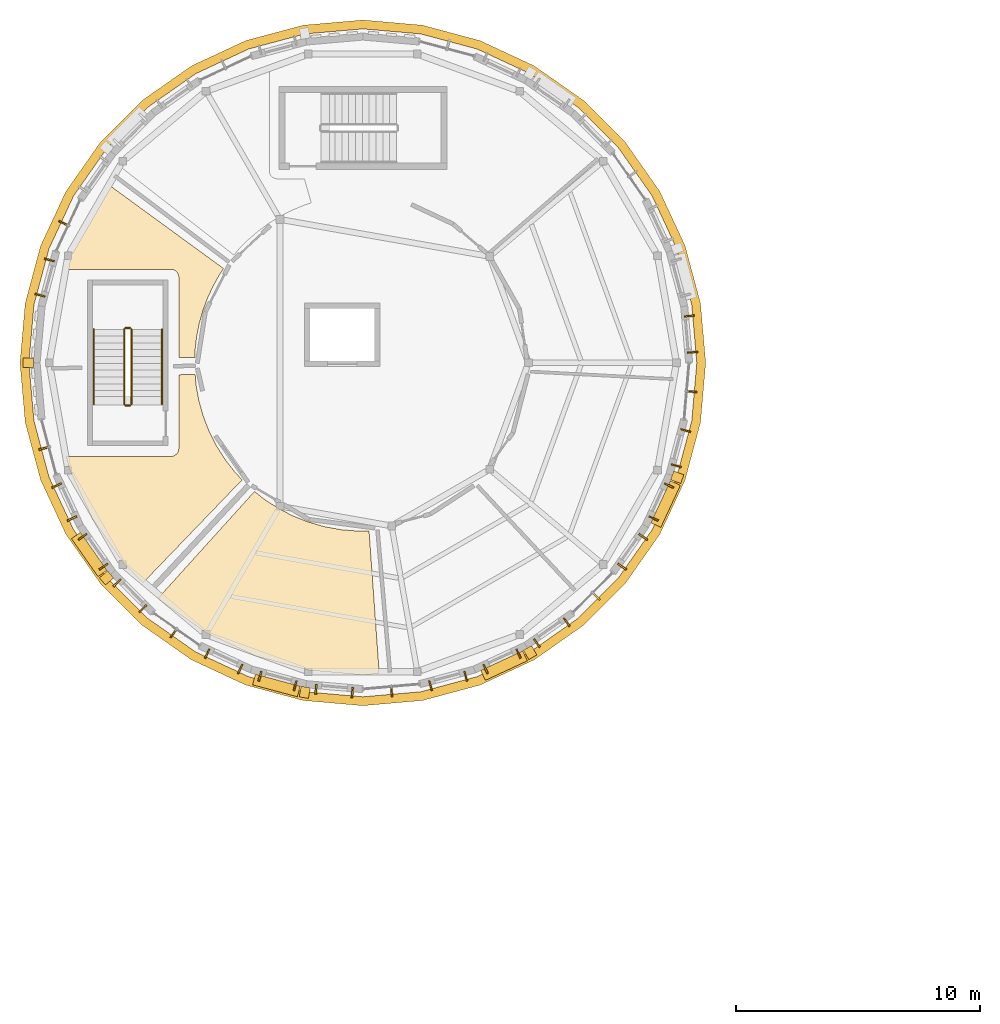
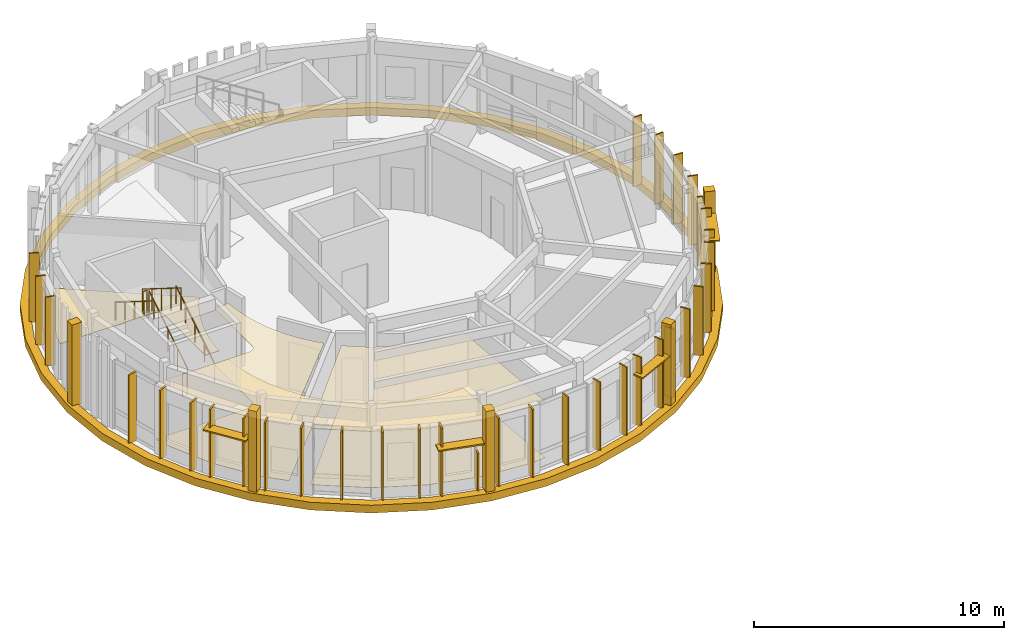
# One storey, part 32 of 37: 38 shading devices, 11 coverings, 6 railings.
"""IFC4 building model written with IfcOpenShell, lengths in metres."""

from ifc_helpers import new_model, si_unit, direction, frame, origin, origin_2d, place, context, subcontext, project, spatial, polyline, rectangle, circle, outline, extrude, material, layer, layer_set, type_object, element, save


model = new_model("IFC4")

# Units and contexts
model_context = context("Model", 3, precision=1e-05, world=origin(), true_north=direction((0.0, 1.0)))
body_context = subcontext(model_context, "Body", "Model", "MODEL_VIEW")
ifc_project = project(units=[si_unit("LENGTHUNIT", "METRE"), si_unit("AREAUNIT", "SQUARE_METRE"), si_unit("VOLUMEUNIT", "CUBIC_METRE"), si_unit("PLANEANGLEUNIT", "RADIAN"), si_unit("MASSUNIT", "GRAM", prefix="KILO")], contexts=[model_context])

# Site, building, storey
site_placement = place(None, origin())
site = spatial("IfcSite", under=ifc_project, at=site_placement, CompositionType="ELEMENT")
building_placement = place(site_placement, origin())
building = spatial("IfcBuilding", under=site, at=building_placement, Name="Aldenvaro Health Centre", CompositionType="ELEMENT")
storey_placement = place(building_placement, frame((0.0, 0.0, 12.949951171875)))
storey = spatial("IfcBuildingStorey", under=building, at=storey_placement, Name="L03", CompositionType="ELEMENT", Elevation=12.949951171875)

# Coverings
ifc_material_1 = material(Name="Antimicrobial Mineral Fibre Ceiling")
ifc_layer_1 = layer(ifc_material_1, 0.01806640625, Name="Antimicrobial Mineral Fibre Ceiling")
ifc_layer_set_1 = layer_set([ifc_layer_1], Name="Antimicrobial Mineral Fibre Ceiling")
covering_type_1 = type_object("IfcCoveringType", Name="COV-CLG-ACT18", PredefinedType="CEILING", material=ifc_layer_set_1)
covering_1_placement = place(storey_placement, frame((0.0, 0.0, 2.75)))
element("IfcCovering", 1, at=covering_1_placement, inside=storey, type_object=covering_type_1, Name="D4-L03-R03 Suspended Ceiling", PredefinedType="CEILING", context=body_context, shape_type="SweptSolid", body=[
    extrude(outline(polyline([(11.64697265625, 98.618896484375), (11.64990234375, 98.595947265625), (11.762939453125, 97.962890625), (11.76904296875, 97.93994140625), (11.943115234375, 97.321044921875), (11.949951171875, 97.299072265625), (12.18310546875, 96.699951171875), (12.19189453125, 96.678955078125), (12.48193359375, 96.10498046875), (12.492919921875, 96.0849609375), (12.8369140625, 95.541015625), (12.85009765625, 95.52197265625), (13.243896484375, 95.013916015625), (13.259033203125, 94.9970703125), (13.54296875, 94.696044921875), (9.47412109375, 90.467041015625), (8.679931640625, 91.260009765625), (7.39794921875, 93.091064453125), (6.4541015625, 95.115966796875), (6.30810546875, 95.659912109375), (10.6201171875, 95.659912109375), (10.632080078125, 95.659912109375), (10.639892578125, 95.660888671875), (10.6630859375, 95.6630859375), (10.6708984375, 95.6640625), (10.694091796875, 95.6689453125), (10.701904296875, 95.6708984375), (10.72412109375, 95.677001953125), (10.73095703125, 95.679931640625), (10.7529296875, 95.68896484375), (10.760009765625, 95.69189453125), (10.781005859375, 95.7041015625), (10.7880859375, 95.7080078125), (10.806884765625, 95.720947265625), (10.81396484375, 95.72509765625), (10.83203125, 95.739990234375), (10.837890625, 95.74609375), (10.85400390625, 95.761962890625), (10.860107421875, 95.76806640625), (10.875, 95.785888671875), (10.87890625, 95.79296875), (10.89208984375, 95.81201171875), (10.89599609375, 95.819091796875), (10.907958984375, 95.840087890625), (10.910888671875, 95.846923828125), (10.919921875, 95.868896484375), (10.923095703125, 95.8759765625), (10.928955078125, 95.89794921875), (10.930908203125, 95.906005859375), (10.93603515625, 95.928955078125), (10.93701171875, 95.93701171875), (10.93896484375, 95.9599609375), (10.93994140625, 95.968017578125), (10.93994140625, 95.97998046875), (10.93994140625, 99.009033203125), (11.613037109375, 99.031005859375), (11.64697265625, 98.618896484375)])), origin(), (0.0, 0.0, 1.0), 0.01806640625),
])
covering_2_placement = place(storey_placement, frame((0.0, 0.0, 2.75)))
element("IfcCovering", 2, at=covering_2_placement, inside=storey, type_object=covering_type_1, Name="D4-L03-R04 Suspended Ceiling", PredefinedType="CEILING", context=body_context, shape_type="SweptSolid", body=[
    extrude(outline(polyline([(14.39697265625, 93.93994140625), (14.4169921875, 93.926025390625), (14.97705078125, 93.555908203125), (14.998046875, 93.54296875), (15.593017578125, 93.23095703125), (15.614990234375, 93.220947265625), (16.239013671875, 92.970947265625), (16.261962890625, 92.962890625), (16.906982421875, 92.77587890625), (16.930908203125, 92.77099609375), (17.592041015625, 92.64990234375), (17.615966796875, 92.64697265625), (18.285888671875, 92.593994140625), (18.31005859375, 92.593017578125), (18.75390625, 92.60205078125), (19.174072265625, 86.739990234375), (18.5, 86.680908203125), (16.27392578125, 86.8759765625), (14.115966796875, 87.4541015625), (12.091064453125, 88.39794921875), (10.260009765625, 89.679931640625), (10.097900390625, 89.843017578125), (14.052978515625, 94.220947265625), (14.39697265625, 93.93994140625)])), origin(), (0.0, 0.0, 1.0), 0.01806640625),
])
ifc_material_2 = material(Name="Honed Sonoran Buff Limestone", Category="masonry")
ifc_layer_2 = layer(ifc_material_2, 0.280029296875, Name="Honed Sonoran Buff Limestone", Category="masonry")
ifc_layer_set_2 = layer_set([ifc_layer_2], Name="Honed Sonoran Buff Limestone")
covering_type_2 = type_object("IfcCoveringType", Name="COV-CRN-STN", PredefinedType="CLADDING", material=ifc_layer_set_2)
covering_3_placement = place(storey_placement, frame((0.0, 0.0, -0.33984375)))
element("IfcCovering", 3, at=covering_3_placement, inside=storey, type_object=covering_type_2, Name="D4 L03 Classical Stone Entablature Cornice 1", PredefinedType="CLADDING", context=body_context, shape_type="SweptSolid", body=[
    extrude(outline(polyline([(32.580078125, 99.5), (32.365966796875, 101.945068359375), (31.73095703125, 104.31591796875), (30.694091796875, 106.5400390625), (29.285888671875, 108.550048828125), (27.550048828125, 110.285888671875), (25.5400390625, 111.694091796875), (23.31591796875, 112.73095703125), (20.945068359375, 113.365966796875), (18.5, 113.580078125), (16.054931640625, 113.365966796875), (13.68408203125, 112.73095703125), (11.4599609375, 111.694091796875), (9.449951171875, 110.285888671875), (7.714111328125, 108.550048828125), (6.305908203125, 106.5400390625), (5.26904296875, 104.31591796875), (4.634033203125, 101.945068359375), (4.419921875, 99.5), (4.634033203125, 97.054931640625), (5.26904296875, 94.68408203125), (6.305908203125, 92.4599609375), (7.714111328125, 90.449951171875), (9.449951171875, 88.714111328125), (11.4599609375, 87.305908203125), (13.68408203125, 86.26904296875), (16.054931640625, 85.634033203125), (18.5, 85.419921875), (20.945068359375, 85.634033203125), (23.31591796875, 86.26904296875), (25.5400390625, 87.305908203125), (27.550048828125, 88.714111328125), (29.285888671875, 90.449951171875), (30.694091796875, 92.4599609375), (31.73095703125, 94.68408203125), (32.365966796875, 97.054931640625), (32.580078125, 99.5)]), holes=[polyline([(32.215087890625, 99.5), (32.007080078125, 97.117919921875), (31.387939453125, 94.80908203125), (30.3779296875, 92.64208984375), (29.006103515625, 90.68408203125), (27.31591796875, 88.993896484375), (25.35791015625, 87.6220703125), (23.19091796875, 86.612060546875), (20.882080078125, 85.992919921875), (18.5, 85.784912109375), (16.117919921875, 85.992919921875), (13.80908203125, 86.612060546875), (11.64208984375, 87.6220703125), (9.68408203125, 88.993896484375), (7.993896484375, 90.68408203125), (6.6220703125, 92.64208984375), (5.612060546875, 94.80908203125), (4.992919921875, 97.117919921875), (4.784912109375, 99.5), (4.992919921875, 101.882080078125), (5.612060546875, 104.19091796875), (6.6220703125, 106.35791015625), (7.993896484375, 108.31591796875), (9.68408203125, 110.006103515625), (11.64306640625, 111.3779296875), (13.80908203125, 112.387939453125), (16.117919921875, 113.007080078125), (18.5, 113.215087890625), (20.882080078125, 113.007080078125), (23.19091796875, 112.387939453125), (25.35791015625, 111.3779296875), (27.31591796875, 110.006103515625), (29.006103515625, 108.31591796875), (30.3779296875, 106.35791015625), (31.387939453125, 104.19091796875), (32.007080078125, 101.882080078125), (32.215087890625, 99.5)])]), origin(), (0.0, 0.0, 1.0), 0.3798828125),
])
for number, where, z_axis, x_axis, name in (
    (4, (31.410888671875, 94.801025390625, -0.00048828125), (0.0, 0.0, 1.0), (0.939695335552, -0.342012684476, 0.0), "D4 L03 Engaged Classical Limestone Pilaster 02"),
    (5, (25.3701171875, 87.60107421875, -0.00048828125), (0.0, 0.0, 1.0), (0.499991611653, -0.866030246745, 0.0), "D4 L03 Engaged Classical Limestone Pilaster 04"),
    (6, (16.114013671875, 85.968994140625, -0.00048828125), (0.0, 0.0, 1.0), (-0.173661868999, -0.984805338763, 0.0), "D4 L03 Engaged Classical Limestone Pilaster 06"),
    (7, (7.97412109375, 90.66796875, -0.00048828125), (0.0, 0.0, 1.0), (-0.766057587935, -0.642771943979, 0.0), "D4 L03 Engaged Classical Limestone Pilaster 08"),
    (8, (4.760009765625, 99.5, -0.00048828125), (0.0, 0.0, 1.0), (-1.0, 0.0, 0.0), "D4 L03 Engaged Classical Limestone Pilaster 10"),
):
    element("IfcCovering", number, at=place(storey_placement, frame(where, z_axis=z_axis, x_axis=x_axis)), inside=storey, type_object=covering_type_2, Name=name, PredefinedType="CLADDING", context=body_context, shape_type="SweptSolid", body=[
        extrude(rectangle(XDim=0.43994140625, YDim=0.3798828125, at=origin_2d()), origin(), (0.0, 0.0, 1.0), 3.9951171875),
    ])
ifc_material_3 = material(Name="Polished Epoxy Terrazzo Flooring")
ifc_layer_3 = layer(ifc_material_3, 0.02197265625, Name="Polished Epoxy Terrazzo Flooring")
ifc_layer_set_3 = layer_set([ifc_layer_3], Name="Polished Epoxy Terrazzo Flooring")
covering_type_3 = type_object("IfcCoveringType", Name="COV-FLR-TER22", PredefinedType="FLOORING", material=ifc_layer_set_3)
covering_4_placement = place(storey_placement, origin())
element("IfcCovering", 9, at=covering_4_placement, inside=storey, type_object=covering_type_3, Name="D4-L03-R02 Flooring", PredefinedType="FLOORING", context=body_context, shape_type="SweptSolid", body=[
    extrude(outline(polyline([(12.617919921875, 103.1259765625), (12.60791015625, 103.110107421875), (12.35009765625, 102.65087890625), (12.342041015625, 102.634033203125), (12.12109375, 102.156005859375), (12.114013671875, 102.137939453125), (11.930908203125, 101.64404296875), (11.925048828125, 101.6259765625), (11.782958984375, 101.118896484375), (11.778076171875, 101.10107421875), (11.676025390625, 100.583984375), (11.673095703125, 100.56591796875), (11.612060546875, 100.04296875), (11.610107421875, 100.02392578125), (11.59912109375, 99.72802734375), (10.93994140625, 99.72705078125), (10.93994140625, 103.02001953125), (10.93994140625, 103.031982421875), (10.93896484375, 103.0400390625), (10.93701171875, 103.06298828125), (10.93603515625, 103.071044921875), (10.930908203125, 103.093994140625), (10.928955078125, 103.10205078125), (10.923095703125, 103.1240234375), (10.919921875, 103.131103515625), (10.910888671875, 103.153076171875), (10.907958984375, 103.159912109375), (10.89599609375, 103.180908203125), (10.89208984375, 103.18798828125), (10.87890625, 103.20703125), (10.875, 103.214111328125), (10.860107421875, 103.23193359375), (10.85400390625, 103.238037109375), (10.837890625, 103.25390625), (10.83203125, 103.260009765625), (10.81396484375, 103.27490234375), (10.806884765625, 103.279052734375), (10.7880859375, 103.2919921875), (10.781005859375, 103.2958984375), (10.760009765625, 103.30810546875), (10.7529296875, 103.31103515625), (10.73095703125, 103.320068359375), (10.72412109375, 103.322998046875), (10.701904296875, 103.3291015625), (10.694091796875, 103.3310546875), (10.6708984375, 103.3359375), (10.6630859375, 103.3369140625), (10.639892578125, 103.339111328125), (10.632080078125, 103.340087890625), (10.6201171875, 103.340087890625), (6.30810546875, 103.340087890625), (6.4541015625, 103.884033203125), (7.39794921875, 105.908935546875), (8.0419921875, 106.8291015625), (12.782958984375, 103.3720703125), (12.617919921875, 103.1259765625)])), origin(), (0.0, 0.0, 1.0), 0.02197265625),
])
covering_5_placement = place(storey_placement, origin())
element("IfcCovering", 10, at=covering_5_placement, inside=storey, type_object=covering_type_3, Name="D4-L03-R03 Flooring", PredefinedType="FLOORING", context=body_context, shape_type="SweptSolid", body=[
    extrude(outline(polyline([(11.64697265625, 98.618896484375), (11.64990234375, 98.595947265625), (11.762939453125, 97.962890625), (11.76904296875, 97.93994140625), (11.943115234375, 97.321044921875), (11.949951171875, 97.299072265625), (12.18310546875, 96.699951171875), (12.19189453125, 96.678955078125), (12.48193359375, 96.10498046875), (12.492919921875, 96.0849609375), (12.8369140625, 95.541015625), (12.85009765625, 95.52197265625), (13.243896484375, 95.013916015625), (13.259033203125, 94.9970703125), (13.54296875, 94.696044921875), (9.47412109375, 90.467041015625), (8.679931640625, 91.260009765625), (7.39794921875, 93.091064453125), (6.4541015625, 95.115966796875), (6.30810546875, 95.659912109375), (10.6201171875, 95.659912109375), (10.632080078125, 95.659912109375), (10.639892578125, 95.660888671875), (10.6630859375, 95.6630859375), (10.6708984375, 95.6640625), (10.694091796875, 95.6689453125), (10.701904296875, 95.6708984375), (10.72412109375, 95.677001953125), (10.73095703125, 95.679931640625), (10.7529296875, 95.68896484375), (10.760009765625, 95.69189453125), (10.781005859375, 95.7041015625), (10.7880859375, 95.7080078125), (10.806884765625, 95.720947265625), (10.81396484375, 95.72509765625), (10.83203125, 95.739990234375), (10.837890625, 95.74609375), (10.85400390625, 95.761962890625), (10.860107421875, 95.76806640625), (10.875, 95.785888671875), (10.87890625, 95.79296875), (10.89208984375, 95.81201171875), (10.89599609375, 95.819091796875), (10.907958984375, 95.840087890625), (10.910888671875, 95.846923828125), (10.919921875, 95.868896484375), (10.923095703125, 95.8759765625), (10.928955078125, 95.89794921875), (10.930908203125, 95.906005859375), (10.93603515625, 95.928955078125), (10.93701171875, 95.93701171875), (10.93896484375, 95.9599609375), (10.93994140625, 95.968017578125), (10.93994140625, 95.97998046875), (10.93994140625, 99.009033203125), (11.613037109375, 99.031005859375), (11.64697265625, 98.618896484375)])), origin(), (0.0, 0.0, 1.0), 0.02197265625),
])
ifc_material_4 = material(Name="Seamless Homogeneous Sheet Vinyl")
ifc_layer_4 = layer(ifc_material_4, 0.013916015625, Name="Seamless Homogeneous Sheet Vinyl")
ifc_layer_set_4 = layer_set([ifc_layer_4], Name="Seamless Homogeneous Sheet Vinyl")
covering_type_4 = type_object("IfcCoveringType", Name="COV-FLR-VNL14", PredefinedType="FLOORING", material=ifc_layer_set_4)
covering_6_placement = place(storey_placement, origin())
element("IfcCovering", 11, at=covering_6_placement, inside=storey, type_object=covering_type_4, Name="D4-L03-R04 Flooring", PredefinedType="FLOORING", context=body_context, shape_type="SweptSolid", body=[
    extrude(outline(polyline([(14.39697265625, 93.93994140625), (14.4169921875, 93.926025390625), (14.97705078125, 93.555908203125), (14.998046875, 93.54296875), (15.593017578125, 93.23095703125), (15.614990234375, 93.220947265625), (16.239013671875, 92.970947265625), (16.261962890625, 92.962890625), (16.906982421875, 92.77587890625), (16.930908203125, 92.77099609375), (17.592041015625, 92.64990234375), (17.615966796875, 92.64697265625), (18.285888671875, 92.593994140625), (18.31005859375, 92.593017578125), (18.75390625, 92.60205078125), (19.174072265625, 86.739990234375), (18.5, 86.680908203125), (16.27392578125, 86.8759765625), (14.115966796875, 87.4541015625), (12.091064453125, 88.39794921875), (10.260009765625, 89.679931640625), (10.097900390625, 89.843017578125), (14.052978515625, 94.220947265625), (14.39697265625, 93.93994140625)])), origin(), (0.0, 0.0, 1.0), 0.01416015625),
])

# Railings
ifc_material_5 = material(Name="Painted Architectural Steel", Category="steel")
railing_type_1 = type_object("IfcRailingType", Name="RL-BAL-INT", PredefinedType="BALUSTRADE", material=ifc_material_5)
railing_1_placement = place(storey_placement, frame((9.0, 97.800048828125, 0.175048828125)))
element("IfcRailing", 12, at=railing_1_placement, inside=storey, type_object=railing_type_1, Name="L03 ST-08 stair guard 1", PredefinedType="BALUSTRADE", context=body_context, shape_type="SweptSolid", body=[
    extrude(circle(Radius=0.02392578125, at=origin_2d()), frame((0.0, 0.0, 1.076171875), z_axis=(0.0, 0.847979421464, 0.530029150871), x_axis=(-1.0, 0.0, 0.0)), (0.0, 0.0, 1.0), 3.632080078125),
    extrude(circle(Radius=0.02099609375, at=origin_2d()), origin(), (0.0, 0.0, 1.0), 1.052001953125),
    extrude(circle(Radius=0.02099609375, at=origin_2d()), frame((0.0, 0.77001953125, 0.481201171875)), (0.0, 0.0, 1.0), 1.052001953125),
    extrude(circle(Radius=0.02099609375, at=origin_2d()), frame((0.0, 1.5400390625, 0.96240234375)), (0.0, 0.0, 1.0), 1.052001953125),
    extrude(circle(Radius=0.02099609375, at=origin_2d()), frame((0.0, 2.309814453125, 1.44384765625)), (0.0, 0.0, 1.0), 1.052001953125),
    extrude(circle(Radius=0.02099609375, at=origin_2d()), frame((0.0, 3.079833984375, 1.925048828125)), (0.0, 0.0, 1.0), 1.052001953125),
])
railing_2_placement = place(storey_placement, frame((8.949951171875, 100.929931640625, 2.10009765625)))
element("IfcRailing", 13, at=railing_2_placement, inside=storey, type_object=railing_type_1, Name="L03 ST-08 stair guard 2", PredefinedType="BALUSTRADE", context=body_context, shape_type="SweptSolid", body=[
    extrude(circle(Radius=0.02392578125, at=origin_2d()), frame((0.0, 0.0, 1.076171875), z_axis=(-1.0, 0.0, 0.0), x_axis=(0.0, -1.0, 0.0)), (0.0, 0.0, 1.0), 0.199951171875),
    extrude(circle(Radius=0.02099609375, at=origin_2d()), origin(), (0.0, 0.0, 1.0), 1.052001953125),
    extrude(circle(Radius=0.02099609375, at=origin_2d()), frame((-0.199951171875, 0.0, 0.0)), (0.0, 0.0, 1.0), 1.052001953125),
])
railing_3_placement = place(storey_placement, frame((8.699951171875, 100.8798828125, 2.275146484375)))
element("IfcRailing", 14, at=railing_3_placement, inside=storey, type_object=railing_type_1, Name="L03 ST-08 stair guard 3", PredefinedType="BALUSTRADE", context=body_context, shape_type="SweptSolid", body=[
    extrude(circle(Radius=0.02392578125, at=origin_2d()), frame((0.0, 0.0, 1.076171875), z_axis=(0.0, -0.848009633417, 0.529980812513), x_axis=(1.0, 0.0, 0.0)), (0.0, 0.0, 1.0), 3.6318359375),
    extrude(circle(Radius=0.02099609375, at=origin_2d()), origin(), (0.0, 0.0, 1.0), 1.052001953125),
    extrude(circle(Radius=0.02099609375, at=origin_2d()), frame((0.0, -0.77001953125, 0.481201171875)), (0.0, 0.0, 1.0), 1.052001953125),
    extrude(circle(Radius=0.02099609375, at=origin_2d()), frame((0.0, -1.5400390625, 0.96240234375)), (0.0, 0.0, 1.0), 1.052001953125),
    extrude(circle(Radius=0.02099609375, at=origin_2d()), frame((0.0, -2.309814453125, 1.443603515625)), (0.0, 0.0, 1.0), 1.052001953125),
    extrude(circle(Radius=0.02099609375, at=origin_2d()), frame((0.0, -3.079833984375, 1.9248046875)), (0.0, 0.0, 1.0), 1.052001953125),
])
railing_4_placement = place(storey_placement, frame((8.949951171875, 97.75, 0.0)))
element("IfcRailing", 15, at=railing_4_placement, inside=storey, type_object=railing_type_1, Name="L03 ST-08 stair guard 4", PredefinedType="BALUSTRADE", context=body_context, shape_type="SweptSolid", body=[
    extrude(circle(Radius=0.02392578125, at=origin_2d()), frame((0.0, 0.0, 1.076171875), z_axis=(-1.0, 0.0, 0.0), x_axis=(0.0, -1.0, 0.0)), (0.0, 0.0, 1.0), 0.199951171875),
    extrude(circle(Radius=0.02099609375, at=origin_2d()), origin(), (0.0, 0.0, 1.0), 1.052001953125),
    extrude(circle(Radius=0.02099609375, at=origin_2d()), frame((-0.199951171875, 0.0, 0.0)), (0.0, 0.0, 1.0), 1.052001953125),
])
railing_type_2 = type_object("IfcRailingType", Name="RL-HND-INT", PredefinedType="HANDRAIL", material=ifc_material_5)
railing_5_placement = place(storey_placement, frame((10.25, 97.800048828125, 0.175048828125)))
element("IfcRailing", 16, at=railing_5_placement, inside=storey, type_object=railing_type_2, Name="L03 ST-08 stair handrail 1", PredefinedType="HANDRAIL", context=body_context, shape_type="SweptSolid", body=[
    extrude(circle(Radius=0.02392578125, at=origin_2d()), frame((0.0, 0.0, 0.8759765625), z_axis=(0.0, 0.847979421464, 0.530029150871), x_axis=(-1.0, 0.0, 0.0)), (0.0, 0.0, 1.0), 3.632080078125),
    extrude(circle(Radius=0.02099609375, at=origin_2d()), origin(), (0.0, 0.0, 1.0), 0.851806640625),
    extrude(circle(Radius=0.02099609375, at=origin_2d()), frame((0.0, 0.77001953125, 0.481201171875)), (0.0, 0.0, 1.0), 0.851806640625),
    extrude(circle(Radius=0.02099609375, at=origin_2d()), frame((0.0, 1.5400390625, 0.96240234375)), (0.0, 0.0, 1.0), 0.851806640625),
    extrude(circle(Radius=0.02099609375, at=origin_2d()), frame((0.0, 2.309814453125, 1.44384765625)), (0.0, 0.0, 1.0), 0.851806640625),
    extrude(circle(Radius=0.02099609375, at=origin_2d()), frame((0.0, 3.079833984375, 1.925048828125)), (0.0, 0.0, 1.0), 0.851806640625),
])
railing_6_placement = place(storey_placement, frame((7.449951171875, 100.8798828125, 2.275146484375)))
element("IfcRailing", 17, at=railing_6_placement, inside=storey, type_object=railing_type_2, Name="L03 ST-08 stair handrail 2", PredefinedType="HANDRAIL", context=body_context, shape_type="SweptSolid", body=[
    extrude(circle(Radius=0.02392578125, at=origin_2d()), frame((0.0, 0.0, 0.8759765625), z_axis=(0.0, -0.848009633417, 0.529980812513), x_axis=(1.0, 0.0, 0.0)), (0.0, 0.0, 1.0), 3.6318359375),
    extrude(circle(Radius=0.02099609375, at=origin_2d()), origin(), (0.0, 0.0, 1.0), 0.851806640625),
    extrude(circle(Radius=0.02099609375, at=origin_2d()), frame((0.0, -0.77001953125, 0.481201171875)), (0.0, 0.0, 1.0), 0.851806640625),
    extrude(circle(Radius=0.02099609375, at=origin_2d()), frame((0.0, -1.5400390625, 0.96240234375)), (0.0, 0.0, 1.0), 0.851806640625),
    extrude(circle(Radius=0.02099609375, at=origin_2d()), frame((0.0, -2.309814453125, 1.443603515625)), (0.0, 0.0, 1.0), 0.851806640625),
    extrude(circle(Radius=0.02099609375, at=origin_2d()), frame((0.0, -3.079833984375, 1.9248046875)), (0.0, 0.0, 1.0), 0.851806640625),
])

# Shading devices
ifc_material_6 = material(Name="Douglas Fir Exterior Glulam GL28h", Category="wood")
shading_device_type_1 = type_object("IfcShadingDeviceType", Name="SHD-FIN-190", PredefinedType="USERDEFINED", material=ifc_material_6)
shading_device_placement = place(storey_placement, frame((15.721923828125, 86.243896484375, -0.02001953125), z_axis=(0.0, 0.0, 1.0), x_axis=(-0.965978620089, 0.258621935517, 0.0)))
element("IfcShadingDevice", 18, at=shading_device_placement, inside=storey, type_object=shading_device_type_1, Name="D4 L03 Douglas fir fin 11.1", ObjectType="FIN", PredefinedType="USERDEFINED", context=body_context, shape_type="SweptSolid", body=[
    extrude(rectangle(XDim=0.06494140625, YDim=0.419921875, at=origin_2d()), origin(), (0.0, 0.0, 1.0), 1.89990234375),
])
shading_device_type_2 = type_object("IfcShadingDeviceType", Name="SHD-FIN-340", PredefinedType="USERDEFINED", material=ifc_material_6)
for number, where, z_axis, x_axis, name in (
    (19, (28.0869140625, 89.9130859375, -0.0205078125), (0.0, 0.0, 1.0), (-0.707106781187, -0.707106781187, 0.0), "D4 L03 vertical timber fin 5.0"),
    (20, (14.277099609375, 86.6298828125, -0.0205078125), (0.0, 0.0, 1.0), (-0.965978620089, 0.258621935517, 0.0), "D4 L03 Douglas fir fin 11.3"),
    (21, (5.403076171875, 95.990966796875, -0.0205078125), (0.0, 0.0, 1.0), (-0.258621935517, 0.965978620089, 0.0), "D4 L03 vertical timber fin 17.0"),
):
    element("IfcShadingDevice", number, at=place(storey_placement, frame(where, z_axis=z_axis, x_axis=x_axis)), inside=storey, type_object=shading_device_type_2, Name=name, ObjectType="FIN", PredefinedType="USERDEFINED", context=body_context, shape_type="SweptSolid", body=[
        extrude(rectangle(XDim=0.074951171875, YDim=0.419921875, at=origin_2d()), origin(), (0.0, 0.0, 1.0), 3.388916015625),
    ])
shading_device_type_3 = type_object("IfcShadingDeviceType", Name="SHD-FIN-380", PredefinedType="USERDEFINED", material=ifc_material_6)
for number, where, z_axis, x_axis, name in (
    (22, (30.007080078125, 92.35595703125, -0.0205078125), (0.0, 0.0, 1.0), (-0.573720929857, -0.819050849853, 0.0), "D4 L03 Douglas fir fin 4.1"),
    (23, (29.14892578125, 91.131103515625, -0.0205078125), (0.0, 0.0, 1.0), (-0.573720929857, -0.819050849853, 0.0), "D4 L03 Douglas fir fin 4.3"),
    (24, (18.06591796875, 85.9619140625, -0.0205078125), (0.0, 0.0, 1.0), (-0.996179299052, 0.087331575855, 0.0), "D4 L03 Douglas fir fin 10.1"),
    (25, (16.575927734375, 86.093017578125, -0.0205078125), (0.0, 0.0, 1.0), (-0.996179299052, 0.087331575855, 0.0), "D4 L03 Douglas fir fin 10.3"),
    (26, (6.55908203125, 93.10693359375, -0.0205078125), (0.0, 0.0, 1.0), (-0.422557314215, 0.90633620484, 0.0), "D4 L03 Douglas fir fin 16.1"),
    (27, (5.927001953125, 94.4619140625, -0.0205078125), (0.0, 0.0, 1.0), (-0.422557314215, 0.90633620484, 0.0), "D4 L03 Douglas fir fin 16.3"),
):
    element("IfcShadingDevice", number, at=place(storey_placement, frame(where, z_axis=z_axis, x_axis=x_axis)), inside=storey, type_object=shading_device_type_3, Name=name, ObjectType="FIN", PredefinedType="USERDEFINED", context=body_context, shape_type="SweptSolid", body=[
        extrude(rectangle(XDim=0.074951171875, YDim=0.419921875, at=origin_2d()), origin(), (0.0, 0.0, 1.0), 3.388916015625),
    ])
shading_device_type_4 = type_object("IfcShadingDeviceType", Name="SHD-FIN-400", PredefinedType="USERDEFINED", material=ifc_material_6)
for number, where, z_axis, x_axis, name in (
    (28, (31.072998046875, 94.4619140625, -0.0205078125), (0.0, 0.0, 1.0), (-0.422557314215, -0.90633620484, 0.0), "D4 L03 Douglas fir fin 3.1"),
    (29, (30.44091796875, 93.10693359375, -0.0205078125), (0.0, 0.0, 1.0), (-0.422557314215, -0.90633620484, 0.0), "D4 L03 Douglas fir fin 3.3"),
    (30, (19.681884765625, 85.992919921875, -0.0205078125), (0.0, 0.0, 1.0), (-0.996179299052, -0.087331575855, 0.0), "D4 L03 vertical timber fin 9.0"),
    (31, (7.85107421875, 91.131103515625, -0.0205078125), (0.0, 0.0, 1.0), (-0.573720929857, 0.819050849853, 0.0), "D4 L03 Douglas fir fin 15.1"),
    (32, (6.992919921875, 92.35595703125, -0.0205078125), (0.0, 0.0, 1.0), (-0.573720929857, 0.819050849853, 0.0), "D4 L03 Douglas fir fin 15.3"),
    (33, (6.2109375, 105.22998046875, -0.0205078125), (0.0, 0.0, 1.0), (0.422557314215, 0.90633620484, 0.0), "D4 L03 vertical timber fin 21.0"),
):
    element("IfcShadingDevice", number, at=place(storey_placement, frame(where, z_axis=z_axis, x_axis=x_axis)), inside=storey, type_object=shading_device_type_4, Name=name, ObjectType="FIN", PredefinedType="USERDEFINED", context=body_context, shape_type="SweptSolid", body=[
        extrude(rectangle(XDim=0.06494140625, YDim=0.419921875, at=origin_2d()), origin(), (0.0, 0.0, 1.0), 3.388916015625),
    ])
shading_device_type_5 = type_object("IfcShadingDeviceType", Name="SHD-FIN-420", PredefinedType="USERDEFINED", material=ifc_material_6)
for number, where, z_axis, x_axis, name in (
    (34, (31.756103515625, 96.721923828125, -0.0205078125), (0.0, 0.0, 1.0), (-0.258621935517, -0.965978620089, 0.0), "D4 L03 Douglas fir fin 2.1"),
    (35, (31.3701171875, 95.277099609375, -0.0205078125), (0.0, 0.0, 1.0), (-0.258621935517, -0.965978620089, 0.0), "D4 L03 Douglas fir fin 2.3"),
    (36, (22.722900390625, 86.6298828125, -0.0205078125), (0.0, 0.0, 1.0), (-0.965978620089, -0.258621935517, 0.0), "D4 L03 Douglas fir fin 8.1"),
    (37, (21.278076171875, 86.243896484375, -0.0205078125), (0.0, 0.0, 1.0), (-0.965978620089, -0.258621935517, 0.0), "D4 L03 Douglas fir fin 8.3"),
    (38, (9.466064453125, 89.407958984375, -0.0205078125), (0.0, 0.0, 1.0), (-0.707106781187, 0.707106781187, 0.0), "D4 L03 Douglas fir fin 14.1"),
    (39, (8.407958984375, 90.466064453125, -0.0205078125), (0.0, 0.0, 1.0), (-0.707106781187, 0.707106781187, 0.0), "D4 L03 Douglas fir fin 14.3"),
    (40, (5.243896484375, 102.278076171875, -0.0205078125), (0.0, 0.0, 1.0), (0.258621935517, 0.965978620089, 0.0), "D4 L03 Douglas fir fin 20.1"),
    (41, (5.6298828125, 103.722900390625, -0.0205078125), (0.0, 0.0, 1.0), (0.258621935517, 0.965978620089, 0.0), "D4 L03 Douglas fir fin 20.3"),
):
    element("IfcShadingDevice", number, at=place(storey_placement, frame(where, z_axis=z_axis, x_axis=x_axis)), inside=storey, type_object=shading_device_type_5, Name=name, ObjectType="FIN", PredefinedType="USERDEFINED", context=body_context, shape_type="SweptSolid", body=[
        extrude(rectangle(XDim=0.06494140625, YDim=0.419921875, at=origin_2d()), origin(), (0.0, 0.0, 1.0), 3.388916015625),
    ])
shading_device_type_6 = type_object("IfcShadingDeviceType", Name="SHD-FIN-435", PredefinedType="USERDEFINED", material=ifc_material_6)
for number, where, z_axis, x_axis, name in (
    (42, (32.007080078125, 98.318115234375, -0.0205078125), (0.0, 0.0, 1.0), (-0.087331575855, -0.996179299052, 0.0), "D4 L03 vertical timber fin 1.0"),
    (43, (24.89306640625, 87.55908203125, -0.0205078125), (0.0, 0.0, 1.0), (-0.90633620484, -0.422557314215, 0.0), "D4 L03 Douglas fir fin 7.1"),
    (44, (23.5380859375, 86.927001953125, -0.0205078125), (0.0, 0.0, 1.0), (-0.90633620484, -0.422557314215, 0.0), "D4 L03 Douglas fir fin 7.3"),
    (45, (10.722900390625, 88.39306640625, -0.0205078125), (0.0, 0.0, 1.0), (-0.819050849853, 0.573720929857, 0.0), "D4 L03 vertical timber fin 13.0"),
):
    element("IfcShadingDevice", number, at=place(storey_placement, frame(where, z_axis=z_axis, x_axis=x_axis)), inside=storey, type_object=shading_device_type_6, Name=name, ObjectType="FIN", PredefinedType="USERDEFINED", context=body_context, shape_type="SweptSolid", body=[
        extrude(rectangle(XDim=0.06494140625, YDim=0.419921875, at=origin_2d()), origin(), (0.0, 0.0, 1.0), 3.388916015625),
    ])
shading_device_type_7 = type_object("IfcShadingDeviceType", Name="SHD-FIN-455", PredefinedType="USERDEFINED", material=ifc_material_6)
for number, where, z_axis, x_axis, name in (
    (46, (26.868896484375, 88.85107421875, -0.0205078125), (0.0, 0.0, 1.0), (-0.819050849853, -0.573720929857, 0.0), "D4 L03 Douglas fir fin 6.1"),
    (47, (25.64404296875, 87.992919921875, -0.0205078125), (0.0, 0.0, 1.0), (-0.819050849853, -0.573720929857, 0.0), "D4 L03 Douglas fir fin 6.3"),
    (48, (13.4619140625, 86.927001953125, -0.0205078125), (0.0, 0.0, 1.0), (-0.90633620484, 0.422557314215, 0.0), "D4 L03 Douglas fir fin 12.1"),
    (49, (12.10693359375, 87.55908203125, -0.0205078125), (0.0, 0.0, 1.0), (-0.90633620484, 0.422557314215, 0.0), "D4 L03 Douglas fir fin 12.3"),
    (50, (31.906982421875, 101.424072265625, -0.0205078125), (0.0, 0.0, 1.0), (0.087331575855, -0.996179299052, 0.0), "D4 L03 Douglas fir fin 36.1"),
    (51, (32.0380859375, 99.93408203125, -0.0205078125), (0.0, 0.0, 1.0), (0.087331575855, -0.996179299052, 0.0), "D4 L03 Douglas fir fin 36.3"),
):
    element("IfcShadingDevice", number, at=place(storey_placement, frame(where, z_axis=z_axis, x_axis=x_axis)), inside=storey, type_object=shading_device_type_7, Name=name, ObjectType="FIN", PredefinedType="USERDEFINED", context=body_context, shape_type="SweptSolid", body=[
        extrude(rectangle(XDim=0.06494140625, YDim=0.419921875, at=origin_2d()), origin(), (0.0, 0.0, 1.0), 3.388916015625),
    ])
shading_device_type_8 = type_object("IfcShadingDeviceType", Name="SHD-LVR-190", PredefinedType="JALOUSIE", material=ifc_material_6)
for number, where, z_axis, x_axis, name in (
    (52, (30.93408203125, 93.701904296875, 2.8974609375), (0.0, 0.0, 1.0), (-0.422557314215, -0.90633620484, 0.0), "D4 L03 horizontal solar louvre 03"),
    (53, (24.298095703125, 87.06591796875, 2.49755859375), (0.0, 0.0, 1.0), (-0.90633620484, -0.422557314215, 0.0), "D4 L03 horizontal solar louvre 07"),
    (54, (14.948974609375, 86.2490234375, 2.3974609375), (0.0, 0.0, 1.0), (-0.965978620089, 0.258621935517, 0.0), "D4 L03 horizontal solar louvre 11"),
    (55, (7.261962890625, 91.631103515625, 2.3974609375), (0.0, 0.0, 1.0), (-0.573720929857, 0.819050849853, 0.0), "D4 L03 horizontal solar louvre 15"),
):
    element("IfcShadingDevice", number, at=place(storey_placement, frame(where, z_axis=z_axis, x_axis=x_axis)), inside=storey, type_object=shading_device_type_8, Name=name, PredefinedType="JALOUSIE", context=body_context, shape_type="SweptSolid", body=[
        extrude(rectangle(XDim=1.89990234375, YDim=0.449951171875, at=origin_2d()), origin(), (0.0, 0.0, 1.0), 0.06494140625),
    ])

save(model, "model.ifc")
